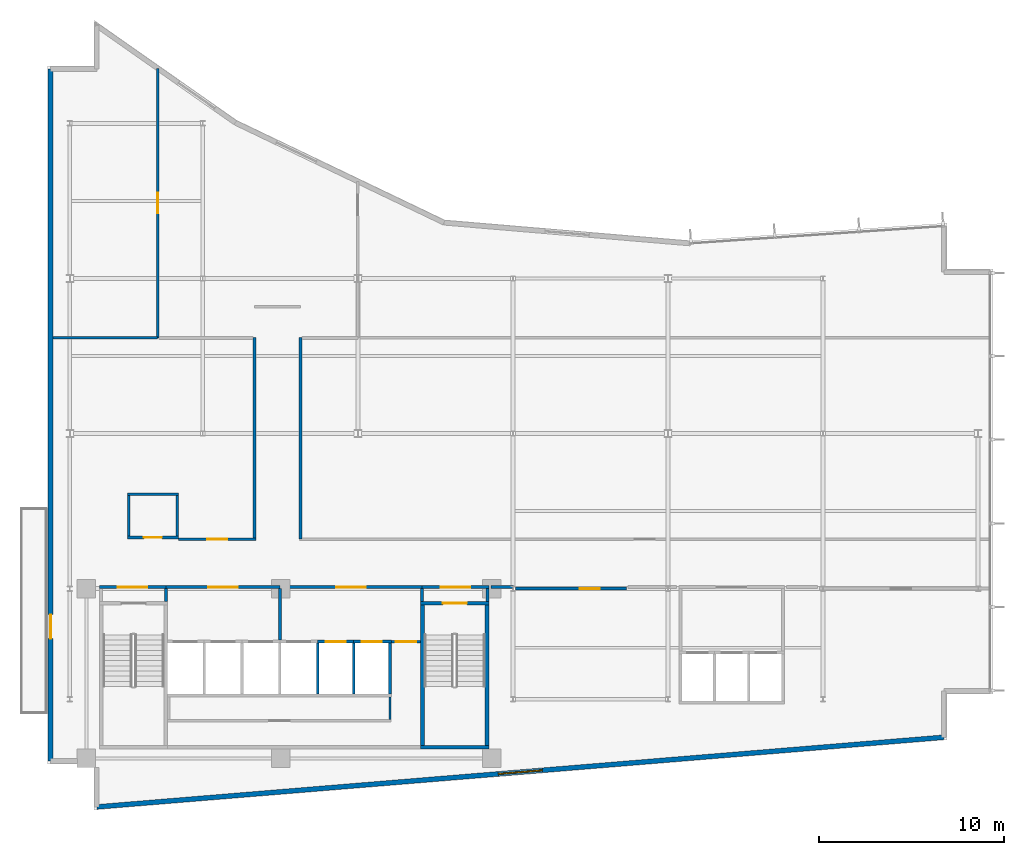
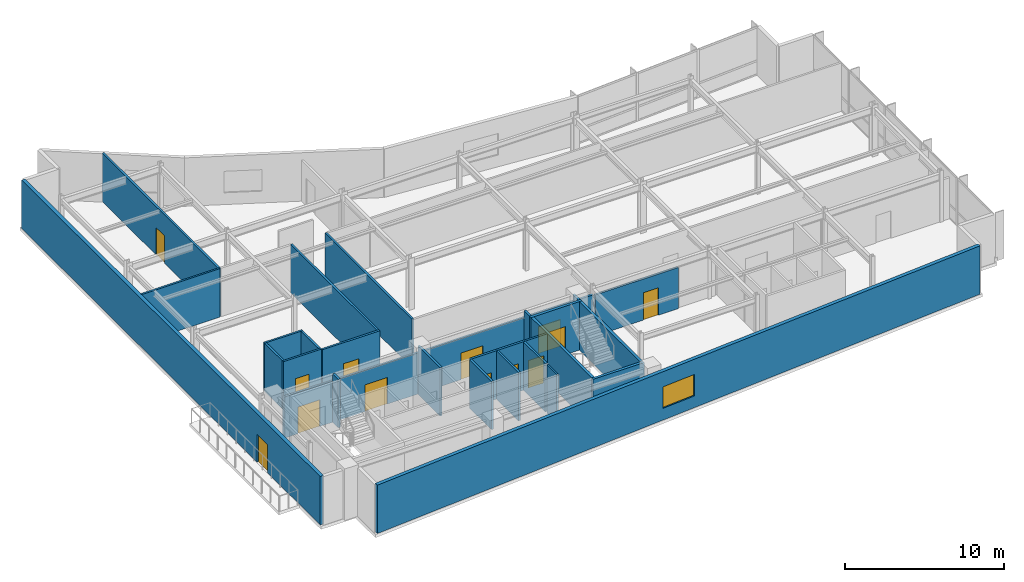
# One storey, part 11 of 16: 32 walls, 13 doors, 1 window, 14 openings.
"""IFC4 building model written with IfcOpenShell, lengths in metres."""

from ifc_helpers import new_model, si_unit, direction, frame, frame_2d, origin, place, context, subcontext, project, spatial, rectangle, extrude, material, layer, layer_set, type_object, element, fill, save


model = new_model("IFC4")

# Units and contexts
model_context = context("Model", 3, precision=1e-05, world=origin(), true_north=direction((0.0, 1.0)))
body_context = subcontext(model_context, "Body", "Model", "MODEL_VIEW")
ifc_project = project(units=[si_unit("LENGTHUNIT", "METRE"), si_unit("AREAUNIT", "SQUARE_METRE"), si_unit("VOLUMEUNIT", "CUBIC_METRE"), si_unit("PLANEANGLEUNIT", "RADIAN"), si_unit("MASSUNIT", "GRAM", prefix="KILO")], contexts=[model_context])

# Site, building, storey
site_placement = place(None, origin())
site = spatial("IfcSite", under=ifc_project, at=site_placement, CompositionType="ELEMENT")
building_placement = place(site_placement, origin())
building = spatial("IfcBuilding", under=site, at=building_placement, Name="Varnakote Quay Hospital", CompositionType="ELEMENT")
storey_placement = place(building_placement, frame((0.0, 0.0, 180.25)))
storey = spatial("IfcBuildingStorey", under=building, at=storey_placement, Name="L44", CompositionType="ELEMENT", Elevation=180.25)

# Wall, opening, door
ifc_material_1 = material(Name="Fire-rated acoustic gypsum stud wall", Category="gypsum")
ifc_layer_1 = layer(ifc_material_1, 0.159912109375)
ifc_layer_set_1 = layer_set([ifc_layer_1], Name="Fire-rated acoustic gypsum stud wall")
wall_type_1 = type_object("IfcWallType", Name="WL-COMP-160", PredefinedType="PARTITIONING", material=ifc_layer_set_1)
wall_1_placement = place(storey_placement, frame((2.800048828125, 12.080078125, 0.0), z_axis=(0.0, 0.0, 1.0), x_axis=(1.0, 0.0, 0.0)))
wall_1 = element("IfcWall", 1, at=wall_1_placement, inside=storey, type_object=wall_type_1, Name="L44 West Stair Vestibule Smoke Wall", PredefinedType="PARTITIONING", context=body_context, shape_type="SweptSolid", body=[
    extrude(rectangle(XDim=3.599853515625, YDim=0.159912109375, at=frame_2d((1.7998046875, 0.0))), origin(), (0.0, 0.0, 1.0), 3.152099609375),
])
opening_1_placement = place(wall_1_placement, frame((1.0, 0.0, 0.0)))
opening_1 = element("IfcOpeningElement", 2, at=opening_1_placement, cuts=wall_1, Name="Opening D-ST1L-L44", PredefinedType="OPENING", context=body_context, shape_type="SweptSolid", body=[
    extrude(rectangle(XDim=1.60009765625, YDim=2.050048828125, at=frame_2d((0.800048828125, 1.02490234375))), frame((0.0, 0.08984375, 0.0), z_axis=(0.0, -1.0, 0.0), x_axis=(1.0, 0.0, 0.0)), (0.0, 0.0, 1.0), 0.179931640625),
])
ifc_material_2 = material(Name="Fire-rated double smoke lobby door")
door_type_1 = type_object("IfcDoorType", Name="DR-LOBBY-FD60S-1600x2150", OperationType="NOTDEFINED", PredefinedType="DOOR", material=ifc_material_2)
door_1_placement = place(opening_1_placement, origin())
door_1 = element("IfcDoor", 3, at=door_1_placement, inside=storey, type_object=door_type_1, Name="L44 West Stair Vestibule Smoke Door", OperationType="DOUBLE_DOOR_SINGLE_SWING", OverallHeight=2.050048828125, OverallWidth=1.60009765625, PredefinedType="DOOR", context=body_context, shape_type="SweptSolid", body=[
    extrude(rectangle(XDim=1.60009765625, YDim=2.050048828125, at=frame_2d((0.800048828125, 1.02490234375))), frame((0.0, 0.02490234375, 0.0), z_axis=(0.0, -1.0, 0.0), x_axis=(1.0, 0.0, 0.0)), (0.0, 0.0, 1.0), 0.050048828125),
])
fill(opening_1, door_1)

# Wall
wall_2_placement = place(storey_placement, frame((6.39990234375, 11.300048828125, 0.0), z_axis=(0.0, 0.0, 1.0), x_axis=(0.0, 1.0, 0.0)))
element("IfcWall", 4, at=wall_2_placement, inside=storey, type_object=wall_type_1, Name="L44 Firefighting Lobby West Wall", PredefinedType="PARTITIONING", context=body_context, shape_type="SweptSolid", body=[
    extrude(rectangle(XDim=0.699951171875, YDim=0.159912109375, at=frame_2d((0.35009765625, 0.0))), origin(), (0.0, 0.0, 1.0), 3.7099609375),
])

# Wall, opening, door
wall_3_placement = place(storey_placement, frame((6.39990234375, 12.080078125, 0.0), z_axis=(0.0, 0.0, 1.0), x_axis=(1.0, 0.0, 0.0)))
wall_3 = element("IfcWall", 5, at=wall_3_placement, inside=storey, type_object=wall_type_1, Name="L44 Firefighting Lift Lobby Compartment Wall", PredefinedType="PARTITIONING", context=body_context, shape_type="SweptSolid", body=[
    extrude(rectangle(XDim=6.18017578125, YDim=0.159912109375, at=frame_2d((3.090087890625, 0.0))), origin(), (0.0, 0.0, 1.0), 3.152099609375),
])
opening_2_placement = place(wall_3_placement, frame((2.2900390625, 0.0, 0.0)))
opening_2 = element("IfcOpeningElement", 6, at=opening_2_placement, cuts=wall_3, Name="Opening D-FFL-L44", PredefinedType="OPENING", context=body_context, shape_type="SweptSolid", body=[
    extrude(rectangle(XDim=1.60009765625, YDim=2.050048828125, at=frame_2d((0.800048828125, 1.02490234375))), frame((0.0, 0.08984375, 0.0), z_axis=(0.0, -1.0, 0.0), x_axis=(1.0, 0.0, 0.0)), (0.0, 0.0, 1.0), 0.179931640625),
])
door_2_placement = place(opening_2_placement, origin())
door_2 = element("IfcDoor", 7, at=door_2_placement, inside=storey, type_object=door_type_1, Name="L44 Firefighting Smoke Vestibule Door", OperationType="DOUBLE_DOOR_SINGLE_SWING", OverallHeight=2.050048828125, OverallWidth=1.60009765625, PredefinedType="DOOR", context=body_context, shape_type="SweptSolid", body=[
    extrude(rectangle(XDim=1.60009765625, YDim=2.050048828125, at=frame_2d((0.800048828125, 1.02490234375))), frame((0.0, 0.02490234375, 0.0), z_axis=(0.0, -1.0, 0.0), x_axis=(1.0, 0.0, 0.0)), (0.0, 0.0, 1.0), 0.050048828125),
])
fill(opening_2, door_2)

# Wall
wall_4_placement = place(storey_placement, frame((12.580078125, 9.2099609375, 0.0), z_axis=(0.0, 0.0, 1.0), x_axis=(0.0, 1.0, 0.0)))
element("IfcWall", 8, at=wall_4_placement, inside=storey, type_object=wall_type_1, Name="L44 Firefighting to Service Lobby Wall", PredefinedType="PARTITIONING", context=body_context, shape_type="SweptSolid", body=[
    extrude(rectangle(XDim=2.7900390625, YDim=0.159912109375, at=frame_2d((1.39501953125, 0.0))), origin(), (0.0, 0.0, 1.0), 3.7099609375),
])

# Wall, opening, door
wall_5_placement = place(storey_placement, frame((12.580078125, 12.080078125, 0.0), z_axis=(0.0, 0.0, 1.0), x_axis=(1.0, 0.0, 0.0)))
wall_5 = element("IfcWall", 9, at=wall_5_placement, inside=storey, type_object=wall_type_1, Name="L44 Clinical Bed Lift Lobby Wall", PredefinedType="PARTITIONING", context=body_context, shape_type="SweptSolid", body=[
    extrude(rectangle(XDim=7.699951171875, YDim=0.159912109375, at=frame_2d((3.85009765625, 0.0))), origin(), (0.0, 0.0, 1.0), 3.152099609375),
])
opening_3_placement = place(wall_5_placement, frame((3.050048828125, 0.0, 0.0)))
opening_3 = element("IfcOpeningElement", 10, at=opening_3_placement, cuts=wall_5, Name="Opening D-SVL-L44", PredefinedType="OPENING", context=body_context, shape_type="SweptSolid", body=[
    extrude(rectangle(XDim=1.60009765625, YDim=2.050048828125, at=frame_2d((0.800048828125, 1.02490234375))), frame((0.0, 0.08984375, 0.0), z_axis=(0.0, -1.0, 0.0), x_axis=(1.0, 0.0, 0.0)), (0.0, 0.0, 1.0), 0.179931640625),
])
door_3_placement = place(opening_3_placement, origin())
door_3 = element("IfcDoor", 11, at=door_3_placement, inside=storey, type_object=door_type_1, Name="L44 Clinical Core Smoke Vestibule Door", OperationType="DOUBLE_DOOR_SINGLE_SWING", OverallHeight=2.050048828125, OverallWidth=1.60009765625, PredefinedType="DOOR", context=body_context, shape_type="SweptSolid", body=[
    extrude(rectangle(XDim=1.60009765625, YDim=2.050048828125, at=frame_2d((0.800048828125, 1.02490234375))), frame((0.0, 0.02490234375, 0.0), z_axis=(0.0, -1.0, 0.0), x_axis=(1.0, 0.0, 0.0)), (0.0, 0.0, 1.0), 0.050048828125),
])
fill(opening_3, door_3)

# Wall
wall_6_placement = place(storey_placement, frame((20.280029296875, 11.300048828125, 0.0), z_axis=(0.0, 0.0, 1.0), x_axis=(0.0, 1.0, 0.0)))
element("IfcWall", 12, at=wall_6_placement, inside=storey, type_object=wall_type_1, Name="L44 East Stair Vestibule Divider Wall", PredefinedType="PARTITIONING", context=body_context, shape_type="SweptSolid", body=[
    extrude(rectangle(XDim=0.699951171875, YDim=0.159912109375, at=frame_2d((0.35009765625, 0.0))), origin(), (0.0, 0.0, 1.0), 3.7099609375),
])

# Wall, opening, door
wall_7_placement = place(storey_placement, frame((20.280029296875, 12.080078125, 0.0), z_axis=(0.0, 0.0, 1.0), x_axis=(1.0, 0.0, 0.0)))
wall_7 = element("IfcWall", 13, at=wall_7_placement, inside=storey, type_object=wall_type_1, Name="L44 East Stair Vestibule Smoke Wall", PredefinedType="PARTITIONING", context=body_context, shape_type="SweptSolid", body=[
    extrude(rectangle(XDim=3.619873046875, YDim=0.159912109375, at=frame_2d((1.81005859375, 0.0))), origin(), (0.0, 0.0, 1.0), 3.152099609375),
])
opening_4_placement = place(wall_7_placement, frame((1.010009765625, 0.0, 0.0)))
opening_4 = element("IfcOpeningElement", 14, at=opening_4_placement, cuts=wall_7, Name="Opening D-ST2L-L44", PredefinedType="OPENING", context=body_context, shape_type="SweptSolid", body=[
    extrude(rectangle(XDim=1.60009765625, YDim=2.050048828125, at=frame_2d((0.800048828125, 1.02490234375))), frame((0.0, 0.08984375, 0.0), z_axis=(0.0, -1.0, 0.0), x_axis=(1.0, 0.0, 0.0)), (0.0, 0.0, 1.0), 0.179931640625),
])
door_4_placement = place(opening_4_placement, origin())
door_4 = element("IfcDoor", 15, at=door_4_placement, inside=storey, type_object=door_type_1, Name="L44 East Stair Vestibule Smoke Door", OperationType="DOUBLE_DOOR_SINGLE_SWING", OverallHeight=2.050048828125, OverallWidth=1.60009765625, PredefinedType="DOOR", context=body_context, shape_type="SweptSolid", body=[
    extrude(rectangle(XDim=1.60009765625, YDim=2.050048828125, at=frame_2d((0.800048828125, 1.02490234375))), frame((0.0, 0.02490234375, 0.0), z_axis=(0.0, -1.0, 0.0), x_axis=(1.0, 0.0, 0.0)), (0.0, 0.0, 1.0), 0.050048828125),
])
fill(opening_4, door_4)

# Walls
wall_8_placement = place(storey_placement, frame((23.820068359375, 11.300048828125, 0.0), z_axis=(0.0, 0.0, 1.0), x_axis=(0.0, 1.0, 0.0)))
element("IfcWall", 16, at=wall_8_placement, inside=storey, type_object=wall_type_1, Name="L44 East Stair Vestibule East Wall", PredefinedType="PARTITIONING", context=body_context, shape_type="SweptSolid", body=[
    extrude(rectangle(XDim=0.699951171875, YDim=0.159912109375, at=frame_2d((0.35009765625, 0.0))), origin(), (0.0, 0.0, 1.0), 3.7099609375),
])
wall_9_placement = place(storey_placement, frame((24.02001953125, 12.080078125, 0.0), z_axis=(0.0, 0.0, 1.0), x_axis=(1.0, 0.0, 0.0)))
element("IfcWall", 17, at=wall_9_placement, inside=storey, type_object=wall_type_1, Name="L44 Corridor South Gap Wall", PredefinedType="PARTITIONING", context=body_context, shape_type="SweptSolid", body=[
    extrude(rectangle(XDim=1.21875, YDim=0.159912109375, at=frame_2d((0.609375, 0.0))), origin(), (0.0, 0.0, 1.0), 3.152099609375),
])

# Wall, opening, window
ifc_material_3 = material(Name="Precast concrete N50 (f'c 50 MPa)", Category="concrete")
ifc_layer_2 = layer(ifc_material_3, 0.260009765625)
ifc_layer_set_2 = layer_set([ifc_layer_2], Name="Precast concrete N50 (f'c 50 MPa)")
wall_type_2 = type_object("IfcWallType", Name="WL-EXT-BRICK-260", PredefinedType="STANDARD", material=ifc_layer_set_2)
wall_10_placement = place(storey_placement, frame((2.659912109375, 0.173583984375, 0.0), z_axis=(0.0, 0.0, 1.0), x_axis=(0.996634028439, 0.081979347142, 0.0)))
wall_10 = element("IfcWall", 18, at=wall_10_placement, inside=storey, type_object=wall_type_2, Name="L44 Brick-Faced Precast Exterior Wall", PredefinedType="STANDARD", context=body_context, shape_type="SweptSolid", body=[
    extrude(rectangle(XDim=46.03515625, YDim=0.260009765625, at=frame_2d((23.017578125, 0.0))), origin(), (0.0, 0.0, 1.0), 3.7099609375),
])
opening_5_placement = place(wall_10_placement, frame((21.8173828125, 0.0, 0.89990234375)))
opening_5 = element("IfcOpeningElement", 19, at=opening_5_placement, cuts=wall_10, Name="Opening WN-0182", PredefinedType="OPENING", context=body_context, shape_type="SweptSolid", body=[
    extrude(rectangle(XDim=2.39990234375, YDim=1.64990234375, at=frame_2d((1.199951171875, 0.824951171875))), frame((0.0, 0.139892578125, 0.0), z_axis=(0.0, -1.0, 0.0), x_axis=(1.0, 0.0, 0.0)), (0.0, 0.0, 1.0), 0.280029296875),
])
ifc_material_4 = material(Name="Double-glazed low-E solar glass", Category="glass")
window_type = type_object("IfcWindowType", Name="WIN-CLIN-2400x1650", PartitioningType="SINGLE_PANEL", PredefinedType="WINDOW", material=ifc_material_4)
window_placement = place(opening_5_placement, origin())
window = element("IfcWindow", 20, at=window_placement, inside=storey, type_object=window_type, Name="L44 Solar-Control Clinical Window", OverallHeight=1.64990234375, OverallWidth=2.39990234375, PartitioningType="SINGLE_PANEL", PredefinedType="WINDOW", context=body_context, shape_type="SweptSolid", body=[
    extrude(rectangle(XDim=2.39990234375, YDim=1.64990234375, at=frame_2d((1.199951171875, 0.824951171875))), frame((0.0, 0.030029296875, 0.0), z_axis=(0.0, -1.0, 0.0), x_axis=(1.0, 0.0, 0.0)), (0.0, 0.0, 1.0), 0.06005859375),
])
fill(opening_5, window)

# Wall, opening, door
wall_11_placement = place(storey_placement, frame((0.159912109375, 40.139892578125, 0.0), z_axis=(0.0, 0.0, 1.0), x_axis=(0.0, -1.0, 0.0)))
wall_11 = element("IfcWall", 21, at=wall_11_placement, inside=storey, type_object=wall_type_2, Name="L44 Healing Terrace Portal Brick Wall", PredefinedType="STANDARD", context=body_context, shape_type="SweptSolid", body=[
    extrude(rectangle(XDim=37.47998046875, YDim=0.260009765625, at=frame_2d((18.739990234375, 0.0))), origin(), (0.0, 0.0, 1.0), 3.7099609375),
])
opening_6_placement = place(wall_11_placement, frame((29.542236328125, 0.0, 0.0)))
opening_6 = element("IfcOpeningElement", 22, at=opening_6_placement, cuts=wall_11, Name="Opening DT-L44", PredefinedType="OPENING", context=body_context, shape_type="SweptSolid", body=[
    extrude(rectangle(XDim=1.300048828125, YDim=2.14990234375, at=frame_2d((0.64990234375, 1.074951171875))), frame((0.0, 0.139892578125, 0.0), z_axis=(0.0, -1.0, 0.0), x_axis=(1.0, 0.0, 0.0)), (0.0, 0.0, 1.0), 0.280029296875),
])
ifc_material_5 = material(Name="Anodised aluminium glazed terrace door", Category="aluminium")
door_type_2 = type_object("IfcDoorType", Name="DR-EXT-TERR-1300x2150", OperationType="NOTDEFINED", PredefinedType="DOOR", material=ifc_material_5)
door_5_placement = place(opening_6_placement, origin())
door_5 = element("IfcDoor", 23, at=door_5_placement, inside=storey, type_object=door_type_2, Name="L44 Waterfront Healing Terrace Door", OperationType="SINGLE_SWING_LEFT", OverallHeight=2.14990234375, OverallWidth=1.300048828125, PredefinedType="DOOR", context=body_context, shape_type="SweptSolid", body=[
    extrude(rectangle(XDim=1.300048828125, YDim=2.14990234375, at=frame_2d((0.64990234375, 1.074951171875))), frame((0.0, 0.02490234375, 0.0), z_axis=(0.0, -1.0, 0.0), x_axis=(1.0, 0.0, 0.0)), (0.0, 0.0, 1.0), 0.050048828125),
])
fill(opening_6, door_5)

# Walls
ifc_material_6 = material(Name="Concrete N50 (f'c 50 MPa)", Category="concrete")
ifc_layer_3 = layer(ifc_material_6, 0.14990234375)
ifc_layer_set_3 = layer_set([ifc_layer_3], Name="Concrete N50 (f'c 50 MPa)")
wall_type_3 = type_object("IfcWallType", Name="WL-SHAFT-N50-150", PredefinedType="SHEAR", material=ifc_layer_set_3)
for number, where, z_axis, x_axis, name in (
    (24, (14.625, 6.300048828125, 0.0), (0.0, 0.0, 1.0), (0.0, 1.0, 0.0), "L44 LF-SV2 Hoistway Divider Wall"),
    (25, (16.574951171875, 6.300048828125, 0.0), (0.0, 0.0, 1.0), (0.0, 1.0, 0.0), "L44 LF-PH1 Hoistway Divider Wall"),
):
    element("IfcWall", number, at=place(storey_placement, frame(where, z_axis=z_axis, x_axis=x_axis)), inside=storey, type_object=wall_type_3, Name=name, PredefinedType="SHEAR", context=body_context, shape_type="SweptSolid", body=[
        extrude(rectangle(XDim=2.75, YDim=0.14990234375, at=frame_2d((1.375, 0.0))), origin(), (0.0, 0.0, 1.0), 3.7099609375),
    ])
ifc_material_7 = material(Name="Concrete N50 (f'c 50 MPa)", Category="concrete")
ifc_layer_4 = layer(ifc_material_7, 0.159912109375)
ifc_layer_set_4 = layer_set([ifc_layer_4], Name="Concrete N50 (f'c 50 MPa)")
wall_type_4 = type_object("IfcWallType", Name="WL-SHAFT-N50-160", PredefinedType="SHEAR", material=ifc_layer_set_4)
wall_12_placement = place(storey_placement, frame((18.530029296875, 6.300048828125, 0.0), z_axis=(0.0, 0.0, 1.0), x_axis=(0.0, 1.0, 0.0)))
element("IfcWall", 26, at=wall_12_placement, inside=storey, type_object=wall_type_4, Name="L44 REAR Lift Bank East Shear Wall", PredefinedType="SHEAR", context=body_context, shape_type="SweptSolid", body=[
    extrude(rectangle(XDim=2.75, YDim=0.159912109375, at=frame_2d((1.375, 0.0))), origin(), (0.0, 0.0, 1.0), 3.7099609375),
])

# Wall, opening, door
wall_13_placement = place(storey_placement, frame((14.625, 9.1298828125, 0.0), z_axis=(0.0, 0.0, 1.0), x_axis=(1.0, 0.0, 0.0)))
wall_13 = element("IfcWall", 27, at=wall_13_placement, inside=storey, type_object=wall_type_4, Name="L44 LF-PH1 Hoistway Front Wall", PredefinedType="SHEAR", context=body_context, shape_type="SweptSolid", body=[
    extrude(rectangle(XDim=1.949951171875, YDim=0.159912109375, at=frame_2d((0.97509765625, 0.0))), origin(), (0.0, 0.0, 1.0), 3.7099609375),
])
opening_7_placement = place(wall_13_placement, frame((0.425048828125, 0.0, 0.0)))
opening_7 = element("IfcOpeningElement", 28, at=opening_7_placement, cuts=wall_13, Name="Opening LD-PH1-L44", PredefinedType="OPENING", context=body_context, shape_type="SweptSolid", body=[
    extrude(rectangle(XDim=1.10009765625, YDim=2.14990234375, at=frame_2d((0.550048828125, 1.074951171875))), frame((0.0, 0.08984375, 0.0), z_axis=(0.0, -1.0, 0.0), x_axis=(1.0, 0.0, 0.0)), (0.0, 0.0, 1.0), 0.179931640625),
])
ifc_material_8 = material(Name="Brushed bronze lift landing sliding door")
door_type_3 = type_object("IfcDoorType", Name="DR-LIFT-LD-1100x2150", OperationType="NOTDEFINED", PredefinedType="DOOR", material=ifc_material_8)
door_6_placement = place(opening_7_placement, origin())
door_6 = element("IfcDoor", 29, at=door_6_placement, inside=storey, type_object=door_type_3, Name="L44 LF-PH1 Lift Landing Sliding Door", OperationType="SLIDING_TO_LEFT", OverallHeight=2.14990234375, OverallWidth=1.10009765625, PredefinedType="DOOR", context=body_context, shape_type="SweptSolid", body=[
    extrude(rectangle(XDim=1.10009765625, YDim=2.14990234375, at=frame_2d((0.550048828125, 1.074951171875))), frame((0.0, 0.02490234375, 0.0), z_axis=(0.0, -1.0, 0.0), x_axis=(1.0, 0.0, 0.0)), (0.0, 0.0, 1.0), 0.050048828125),
])
fill(opening_7, door_6)

wall_14_placement = place(storey_placement, frame((16.574951171875, 9.1298828125, 0.0), z_axis=(0.0, 0.0, 1.0), x_axis=(1.0, 0.0, 0.0)))
wall_14 = element("IfcWall", 30, at=wall_14_placement, inside=storey, type_object=wall_type_4, Name="L44 LF-PH2 Hoistway Front Wall", PredefinedType="SHEAR", context=body_context, shape_type="SweptSolid", body=[
    extrude(rectangle(XDim=2.03515625, YDim=0.159912109375, at=frame_2d((1.017578125, 0.0))), origin(), (0.0, 0.0, 1.0), 3.7099609375),
])
opening_8_placement = place(wall_14_placement, frame((0.425048828125, 0.0, 0.0)))
opening_8 = element("IfcOpeningElement", 31, at=opening_8_placement, cuts=wall_14, Name="Opening LD-PH2-L44", PredefinedType="OPENING", context=body_context, shape_type="SweptSolid", body=[
    extrude(rectangle(XDim=1.10009765625, YDim=2.14990234375, at=frame_2d((0.550048828125, 1.074951171875))), frame((0.0, 0.08984375, 0.0), z_axis=(0.0, -1.0, 0.0), x_axis=(1.0, 0.0, 0.0)), (0.0, 0.0, 1.0), 0.179931640625),
])
door_7_placement = place(opening_8_placement, origin())
door_7 = element("IfcDoor", 32, at=door_7_placement, inside=storey, type_object=door_type_3, Name="L44 LF-PH2 Lift Landing Sliding Door", OperationType="SLIDING_TO_LEFT", OverallHeight=2.14990234375, OverallWidth=1.10009765625, PredefinedType="DOOR", context=body_context, shape_type="SweptSolid", body=[
    extrude(rectangle(XDim=1.10009765625, YDim=2.14990234375, at=frame_2d((0.550048828125, 1.074951171875))), frame((0.0, 0.02490234375, 0.0), z_axis=(0.0, -1.0, 0.0), x_axis=(1.0, 0.0, 0.0)), (0.0, 0.0, 1.0), 0.050048828125),
])
fill(opening_8, door_7)

# Walls
ifc_material_9 = material(Name="Concrete N50 (f'c 50 MPa)", Category="concrete")
ifc_layer_5 = layer(ifc_material_9, 0.199951171875)
ifc_layer_set_5 = layer_set([ifc_layer_5], Name="Concrete N50 (f'c 50 MPa)")
wall_type_5 = type_object("IfcWallType", Name="WL-SHAFT-N50-200", PredefinedType="SHEAR", material=ifc_layer_set_5)
wall_15_placement = place(storey_placement, frame((20.199951171875, 3.39990234375, 0.0), z_axis=(0.0, 0.0, 1.0), x_axis=(1.0, 0.0, 0.0)))
element("IfcWall", 33, at=wall_15_placement, inside=storey, type_object=wall_type_5, Name="L44 Stair ST2 South Shaft Wall", PredefinedType="SHEAR", context=body_context, shape_type="SweptSolid", body=[
    extrude(rectangle(XDim=3.699951171875, YDim=0.199951171875, at=frame_2d((1.85009765625, 0.0))), origin(), (0.0, 0.0, 1.0), 3.7099609375),
])
for number, where, z_axis, x_axis, name in (
    (34, (20.300048828125, 3.5, 0.0), (0.0, 0.0, 1.0), (0.0, 1.0, 0.0), "L44 Stair ST2 West Shaft Wall"),
    (35, (23.800048828125, 3.5, 0.0), (0.0, 0.0, 1.0), (0.0, 1.0, 0.0), "L44 Stair ST2 East Shaft Wall"),
):
    element("IfcWall", number, at=place(storey_placement, frame(where, z_axis=z_axis, x_axis=x_axis)), inside=storey, type_object=wall_type_5, Name=name, PredefinedType="SHEAR", context=body_context, shape_type="SweptSolid", body=[
        extrude(rectangle(XDim=7.60009765625, YDim=0.199951171875, at=frame_2d((3.800048828125, 0.0))), origin(), (0.0, 0.0, 1.0), 3.7099609375),
    ])

# Wall, opening, door
wall_16_placement = place(storey_placement, frame((20.199951171875, 11.199951171875, 0.0), z_axis=(0.0, 0.0, 1.0), x_axis=(1.0, 0.0, 0.0)))
wall_16 = element("IfcWall", 36, at=wall_16_placement, inside=storey, type_object=wall_type_5, Name="L44 Stair ST2 Exit Wall", PredefinedType="SHEAR", context=body_context, shape_type="SweptSolid", body=[
    extrude(rectangle(XDim=3.699951171875, YDim=0.199951171875, at=frame_2d((1.85009765625, 0.0))), origin(), (0.0, 0.0, 1.0), 3.7099609375),
])
opening_9_placement = place(wall_16_placement, frame((1.199951171875, 0.0, 0.0)))
opening_9 = element("IfcOpeningElement", 37, at=opening_9_placement, cuts=wall_16, Name="Opening D-ST2-L44", PredefinedType="OPENING", context=body_context, shape_type="SweptSolid", body=[
    extrude(rectangle(XDim=1.300048828125, YDim=2.14990234375, at=frame_2d((0.64990234375, 1.074951171875))), frame((0.0, 0.10986328125, 0.0), z_axis=(0.0, -1.0, 0.0), x_axis=(1.0, 0.0, 0.0)), (0.0, 0.0, 1.0), 0.219970703125),
])
ifc_material_10 = material(Name="Fire-rated ceramic-glazed timber exit door", Category="wood")
door_type_4 = type_object("IfcDoorType", Name="DR-STAIR-FD60S-1300x2150", OperationType="NOTDEFINED", PredefinedType="DOOR", material=ifc_material_10)
door_8_placement = place(opening_9_placement, origin())
door_8 = element("IfcDoor", 38, at=door_8_placement, inside=storey, type_object=door_type_4, Name="L44 Stair ST2 Fire Exit Door", OperationType="SINGLE_SWING_LEFT", OverallHeight=2.14990234375, OverallWidth=1.300048828125, PredefinedType="DOOR", context=body_context, shape_type="SweptSolid", body=[
    extrude(rectangle(XDim=1.300048828125, YDim=2.14990234375, at=frame_2d((0.64990234375, 1.074951171875))), frame((0.0, 0.02490234375, 0.0), z_axis=(0.0, -1.0, 0.0), x_axis=(1.0, 0.0, 0.0)), (0.0, 0.0, 1.0), 0.050048828125),
])
fill(opening_9, door_8)

# Walls
ifc_material_11 = material(Name="Smoke-proof clinical partition", Category="gypsum")
ifc_layer_6 = layer(ifc_material_11, 0.1201171875)
ifc_layer_set_6 = layer_set([ifc_layer_6], Name="Smoke-proof clinical partition")
wall_type_6 = type_object("IfcWallType", Name="WL-SMOKE-120", PredefinedType="PARTITIONING", material=ifc_layer_set_6)
wall_17_placement = place(storey_placement, frame((18.5400390625, 4.919921875, 0.0), z_axis=(0.0, 0.0, 1.0), x_axis=(0.0, 1.0, 0.0)))
element("IfcWall", 39, at=wall_17_placement, inside=storey, type_object=wall_type_6, Name="L44 Core Service Strip East Wall", PredefinedType="PARTITIONING", context=body_context, shape_type="SweptSolid", body=[
    extrude(rectangle(XDim=1.219970703125, YDim=0.1201171875, at=frame_2d((0.60986328125, 0.0))), origin(), (0.0, 0.0, 1.0), 3.7099609375),
])
ifc_material_12 = material(Name="Smoke-proof clinical partition", Category="gypsum")
ifc_layer_7 = layer(ifc_material_12, 0.135009765625)
ifc_layer_set_7 = layer_set([ifc_layer_7], Name="Smoke-proof clinical partition")
wall_type_7 = type_object("IfcWallType", Name="WL-SMOKE-135", PredefinedType="PARTITIONING", material=ifc_layer_set_7)
wall_18_placement = place(storey_placement, frame((0.280029296875, 25.580078125, 0.0), z_axis=(0.0, 0.0, 1.0), x_axis=(1.0, 0.0, 0.0)))
element("IfcWall", 40, at=wall_18_placement, inside=storey, type_object=wall_type_7, Name="L44 Clinical Interior Partition", PredefinedType="PARTITIONING", context=body_context, shape_type="SweptSolid", body=[
    extrude(rectangle(XDim=5.679931640625, YDim=0.135009765625, at=frame_2d((2.83984375, 0.0))), origin(), (0.0, 0.0, 1.0), 3.7099609375),
])

# Wall, opening, door
ifc_material_13 = material(Name="Fire-rated clinical gypsum partition", Category="gypsum")
ifc_layer_8 = layer(ifc_material_13, 0.139892578125)
ifc_layer_set_8 = layer_set([ifc_layer_8], Name="Fire-rated clinical gypsum partition")
wall_type_8 = type_object("IfcWallType", Name="WL-WARD-140", PredefinedType="PARTITIONING", material=ifc_layer_set_8)
wall_19_placement = place(storey_placement, frame((18.610107421875, 9.1298828125, 0.0), z_axis=(0.0, 0.0, 1.0), x_axis=(1.0, 0.0, 0.0)))
wall_19 = element("IfcWall", 41, at=wall_19_placement, inside=storey, type_object=wall_type_8, Name="L44 Core Service Corridor North Door Wall", PredefinedType="PARTITIONING", context=body_context, shape_type="SweptSolid", body=[
    extrude(rectangle(XDim=1.58984375, YDim=0.139892578125, at=frame_2d((0.794921875, 0.0))), origin(), (0.0, 0.0, 1.0), 3.7099609375),
])
opening_10_placement = place(wall_19_placement, frame((0.239990234375, 0.0, 0.0)))
opening_10 = element("IfcOpeningElement", 42, at=opening_10_placement, cuts=wall_19, Name="Opening D-CSRV-L44", PredefinedType="OPENING", context=body_context, shape_type="SweptSolid", body=[
    extrude(rectangle(XDim=1.10009765625, YDim=2.10009765625, at=frame_2d((0.550048828125, 1.050048828125))), frame((0.0, 0.079833984375, 0.0), z_axis=(0.0, -1.0, 0.0), x_axis=(1.0, 0.0, 0.0)), (0.0, 0.0, 1.0), 0.159912109375),
])
ifc_material_14 = material(Name="Acoustic timber clinical consult door", Category="wood")
door_type_5 = type_object("IfcDoorType", Name="DR-CLIN-FD30S-1100x2100", OperationType="NOTDEFINED", PredefinedType="DOOR", material=ifc_material_14)
door_9_placement = place(opening_10_placement, origin())
door_9 = element("IfcDoor", 43, at=door_9_placement, inside=storey, type_object=door_type_5, Name="L44 Core Service Corridor Door", OperationType="SINGLE_SWING_LEFT", OverallHeight=2.10009765625, OverallWidth=1.10009765625, PredefinedType="DOOR", context=body_context, shape_type="SweptSolid", body=[
    extrude(rectangle(XDim=1.10009765625, YDim=2.10009765625, at=frame_2d((0.550048828125, 1.050048828125))), frame((0.0, 0.02490234375, 0.0), z_axis=(0.0, -1.0, 0.0), x_axis=(1.0, 0.0, 0.0)), (0.0, 0.0, 1.0), 0.050048828125),
])
fill(opening_10, door_9)

wall_20_placement = place(storey_placement, frame((4.31005859375, 14.77001953125, 0.0), z_axis=(0.0, 0.0, 1.0), x_axis=(1.0, 0.0, 0.0)))
wall_20 = element("IfcWall", 44, at=wall_20_placement, inside=storey, type_object=wall_type_8, Name="L44 Floor Unisex Accessible WC S Wall", PredefinedType="PARTITIONING", context=body_context, shape_type="SweptSolid", body=[
    extrude(rectangle(XDim=2.780029296875, YDim=0.139892578125, at=frame_2d((1.39013671875, 0.0))), origin(), (0.0, 0.0, 1.0), 3.7099609375),
])
opening_11_placement = place(wall_20_placement, frame((0.89990234375, 0.0, 0.0)))
opening_11 = element("IfcOpeningElement", 45, at=opening_11_placement, cuts=wall_20, Name="Opening D-L44-EW01", PredefinedType="OPENING", context=body_context, shape_type="SweptSolid", body=[
    extrude(rectangle(XDim=0.97998046875, YDim=2.10009765625, at=frame_2d((0.489990234375, 1.050048828125))), frame((0.0, 0.079833984375, 0.0), z_axis=(0.0, -1.0, 0.0), x_axis=(1.0, 0.0, 0.0)), (0.0, 0.0, 1.0), 0.159912109375),
])
ifc_material_15 = material(Name="Accessible sanitary compartment door")
door_type_6 = type_object("IfcDoorType", Name="DR-WC-980x2100", OperationType="NOTDEFINED", PredefinedType="DOOR", material=ifc_material_15)
door_10_placement = place(opening_11_placement, origin())
door_10 = element("IfcDoor", 46, at=door_10_placement, inside=storey, type_object=door_type_6, Name="L44 Floor Unisex Accessible WC Door", OperationType="SINGLE_SWING_RIGHT", OverallHeight=2.10009765625, OverallWidth=0.97998046875, PredefinedType="DOOR", context=body_context, shape_type="SweptSolid", body=[
    extrude(rectangle(XDim=0.97998046875, YDim=2.10009765625, at=frame_2d((0.489990234375, 1.050048828125))), frame((0.0, 0.02490234375, 0.0), z_axis=(0.0, -1.0, 0.0), x_axis=(1.0, 0.0, 0.0)), (0.0, 0.0, 1.0), 0.050048828125),
])
fill(opening_11, door_10)

# Walls
wall_21_placement = place(storey_placement, frame((4.31005859375, 17.110107421875, 0.0), z_axis=(0.0, 0.0, 1.0), x_axis=(1.0, 0.0, 0.0)))
element("IfcWall", 47, at=wall_21_placement, inside=storey, type_object=wall_type_8, Name="L44 Floor Unisex Accessible WC N Wall", PredefinedType="PARTITIONING", context=body_context, shape_type="SweptSolid", body=[
    extrude(rectangle(XDim=2.780029296875, YDim=0.139892578125, at=frame_2d((1.39013671875, 0.0))), origin(), (0.0, 0.0, 1.0), 3.7099609375),
])
for number, where, z_axis, x_axis, name in (
    (48, (4.3798828125, 14.840087890625, 0.0), (0.0, 0.0, 1.0), (0.0, 1.0, 0.0), "L44 Floor Unisex Accessible WC W Wall"),
    (49, (7.02001953125, 14.840087890625, 0.0), (0.0, 0.0, 1.0), (0.0, 1.0, 0.0), "L44 Floor Unisex Accessible WC E Wall"),
):
    element("IfcWall", number, at=place(storey_placement, frame(where, z_axis=z_axis, x_axis=x_axis)), inside=storey, type_object=wall_type_8, Name=name, PredefinedType="PARTITIONING", context=body_context, shape_type="SweptSolid", body=[
        extrude(rectangle(XDim=2.199951171875, YDim=0.139892578125, at=frame_2d((1.10009765625, 0.0))), origin(), (0.0, 0.0, 1.0), 3.7099609375),
    ])

# Wall, opening, door
ifc_material_16 = material(Name="Fire-rated clinical gypsum partition", Category="gypsum")
ifc_layer_9 = layer(ifc_material_16, 0.14990234375)
ifc_layer_set_9 = layer_set([ifc_layer_9], Name="Fire-rated clinical gypsum partition")
wall_type_9 = type_object("IfcWallType", Name="WL-WARD-150", PredefinedType="PARTITIONING", material=ifc_layer_set_9)
wall_22_placement = place(storey_placement, frame((31.35009765625, 12.0, 0.0), z_axis=(0.0, 0.0, 1.0), x_axis=(-1.0, 0.0, 0.0)))
wall_22 = element("IfcWall", 50, at=wall_22_placement, inside=storey, type_object=wall_type_9, Name="L44 Clinical Interior Partition", PredefinedType="PARTITIONING", context=body_context, shape_type="SweptSolid", body=[
    extrude(rectangle(XDim=6.022216796875, YDim=0.14990234375, at=frame_2d((3.01123046875, 0.0))), origin(), (0.0, 0.0, 1.0), 3.152099609375),
])
opening_12_placement = place(wall_22_placement, frame((1.443603515625, 0.0, 0.0)))
opening_12 = element("IfcOpeningElement", 51, at=opening_12_placement, cuts=wall_22, Name="Opening D-L44-RL1", PredefinedType="OPENING", context=body_context, shape_type="SweptSolid", body=[
    extrude(rectangle(XDim=1.10009765625, YDim=2.10009765625, at=frame_2d((0.550048828125, 1.050048828125))), frame((0.0, 0.0849609375, 0.0), z_axis=(0.0, -1.0, 0.0), x_axis=(1.0, 0.0, 0.0)), (0.0, 0.0, 1.0), 0.169921875),
])
door_11_placement = place(opening_12_placement, origin())
door_11 = element("IfcDoor", 52, at=door_11_placement, inside=storey, type_object=door_type_5, Name="L44 Day Infusion Treatment Suite Door", OperationType="SINGLE_SWING_LEFT", OverallHeight=2.10009765625, OverallWidth=1.10009765625, PredefinedType="DOOR", context=body_context, shape_type="SweptSolid", body=[
    extrude(rectangle(XDim=1.10009765625, YDim=2.10009765625, at=frame_2d((0.550048828125, 1.050048828125))), frame((0.0, 0.02490234375, 0.0), z_axis=(0.0, -1.0, 0.0), x_axis=(1.0, 0.0, 0.0)), (0.0, 0.0, 1.0), 0.050048828125),
])
fill(opening_12, door_11)

wall_23_placement = place(storey_placement, frame((11.27587890625, 14.679931640625, 0.0), z_axis=(0.0, 0.0, 1.0), x_axis=(-1.0, 0.0, 0.0)))
wall_23 = element("IfcWall", 53, at=wall_23_placement, inside=storey, type_object=wall_type_9, Name="L44 Clinical Interior Partition", PredefinedType="PARTITIONING", context=body_context, shape_type="SweptSolid", body=[
    extrude(rectangle(XDim=4.183837890625, YDim=0.14990234375, at=frame_2d((2.091796875, 0.0))), origin(), (0.0, 0.0, 1.0), 3.7099609375),
])
opening_13_placement = place(wall_23_placement, frame((1.5419921875, 0.0, 0.0)))
opening_13 = element("IfcOpeningElement", 54, at=opening_13_placement, cuts=wall_23, Name="Opening D-L44-SKYM", PredefinedType="OPENING", context=body_context, shape_type="SweptSolid", body=[
    extrude(rectangle(XDim=1.10009765625, YDim=2.10009765625, at=frame_2d((0.550048828125, 1.050048828125))), frame((0.0, 0.0849609375, 0.0), z_axis=(0.0, -1.0, 0.0), x_axis=(1.0, 0.0, 0.0)), (0.0, 0.0, 1.0), 0.169921875),
])
door_12_placement = place(opening_13_placement, origin())
door_12 = element("IfcDoor", 55, at=door_12_placement, inside=storey, type_object=door_type_5, Name="L44 Cardiology Telemedicine Assessment Suite Door", OperationType="SINGLE_SWING_LEFT", OverallHeight=2.10009765625, OverallWidth=1.10009765625, PredefinedType="DOOR", context=body_context, shape_type="SweptSolid", body=[
    extrude(rectangle(XDim=1.10009765625, YDim=2.10009765625, at=frame_2d((0.550048828125, 1.050048828125))), frame((0.0, 0.02490234375, 0.0), z_axis=(0.0, -1.0, 0.0), x_axis=(1.0, 0.0, 0.0)), (0.0, 0.0, 1.0), 0.050048828125),
])
fill(opening_13, door_12)

# Walls
wall_24_placement = place(storey_placement, frame((11.199951171875, 25.607177734375, 0.0), z_axis=(0.0, 0.0, 1.0), x_axis=(0.0, -1.0, 0.0)))
element("IfcWall", 56, at=wall_24_placement, inside=storey, type_object=wall_type_9, Name="L44 Clinical Interior Partition", PredefinedType="PARTITIONING", context=body_context, shape_type="SweptSolid", body=[
    extrude(rectangle(XDim=10.9072265625, YDim=0.14990234375, at=frame_2d((5.45361328125, 0.0))), origin(), (0.0, 0.0, 1.0), 3.7099609375),
])
wall_25_placement = place(storey_placement, frame((13.699951171875, 14.699951171875, 0.0), z_axis=(0.0, 0.0, 1.0), x_axis=(0.0, 1.0, 0.0)))
element("IfcWall", 57, at=wall_25_placement, inside=storey, type_object=wall_type_9, Name="L44 Clinical Interior Partition", PredefinedType="PARTITIONING", context=body_context, shape_type="SweptSolid", body=[
    extrude(rectangle(XDim=10.8984375, YDim=0.14990234375, at=frame_2d((5.44921875, 0.0))), origin(), (0.0, 0.0, 1.0), 3.7099609375),
])

# Wall, opening, door
wall_26_placement = place(storey_placement, frame((5.9599609375, 25.580078125, 0.0), z_axis=(0.0, 0.0, 1.0), x_axis=(0.0, 1.0, 0.0)))
wall_26 = element("IfcWall", 58, at=wall_26_placement, inside=storey, type_object=wall_type_9, Name="L44 Clinical Interior Partition", PredefinedType="PARTITIONING", context=body_context, shape_type="SweptSolid", body=[
    extrude(rectangle(XDim=14.599853515625, YDim=0.14990234375, at=frame_2d((7.2998046875, 0.0))), origin(), (0.0, 0.0, 1.0), 3.7099609375),
])
opening_14_placement = place(wall_26_placement, frame((6.75, 0.0, 0.0)))
opening_14 = element("IfcOpeningElement", 59, at=opening_14_placement, cuts=wall_26, Name="Opening D-L44-SKYLW", PredefinedType="OPENING", context=body_context, shape_type="SweptSolid", body=[
    extrude(rectangle(XDim=1.10009765625, YDim=2.10009765625, at=frame_2d((0.550048828125, 1.050048828125))), frame((0.0, 0.0849609375, 0.0), z_axis=(0.0, -1.0, 0.0), x_axis=(1.0, 0.0, 0.0)), (0.0, 0.0, 1.0), 0.169921875),
])
door_13_placement = place(opening_14_placement, origin())
door_13 = element("IfcDoor", 60, at=door_13_placement, inside=storey, type_object=door_type_5, Name="L44 High-Rise Clinical Governance Office Door", OperationType="SINGLE_SWING_LEFT", OverallHeight=2.10009765625, OverallWidth=1.10009765625, PredefinedType="DOOR", context=body_context, shape_type="SweptSolid", body=[
    extrude(rectangle(XDim=1.10009765625, YDim=2.10009765625, at=frame_2d((0.550048828125, 1.050048828125))), frame((0.0, 0.02490234375, 0.0), z_axis=(0.0, -1.0, 0.0), x_axis=(1.0, 0.0, 0.0)), (0.0, 0.0, 1.0), 0.050048828125),
])
fill(opening_14, door_13)

save(model, "model.ifc")
